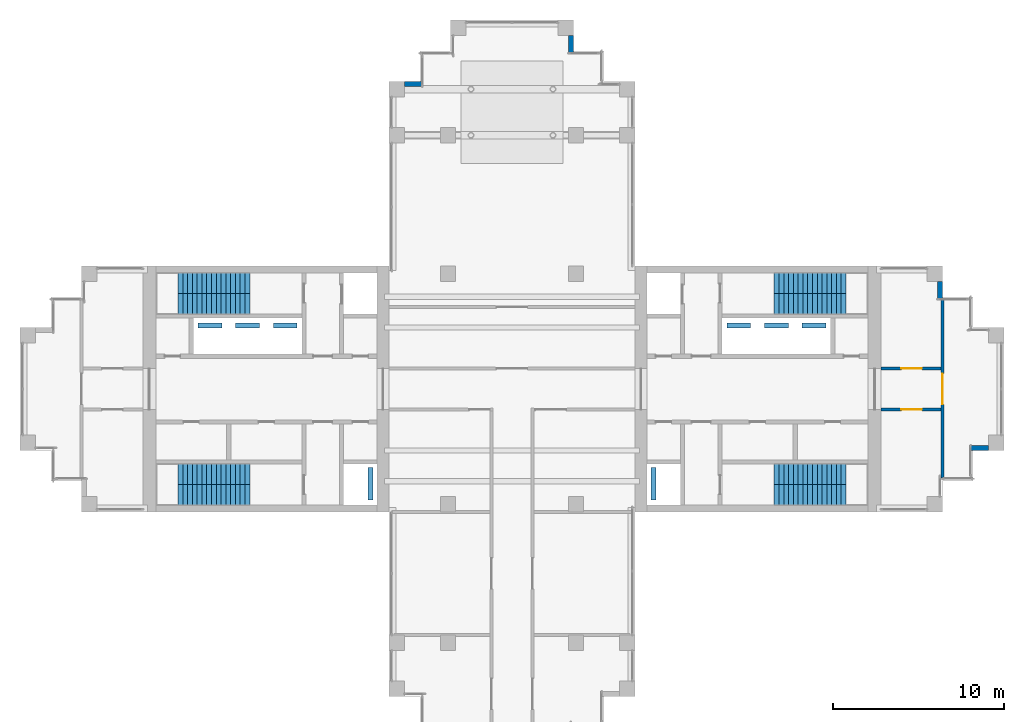
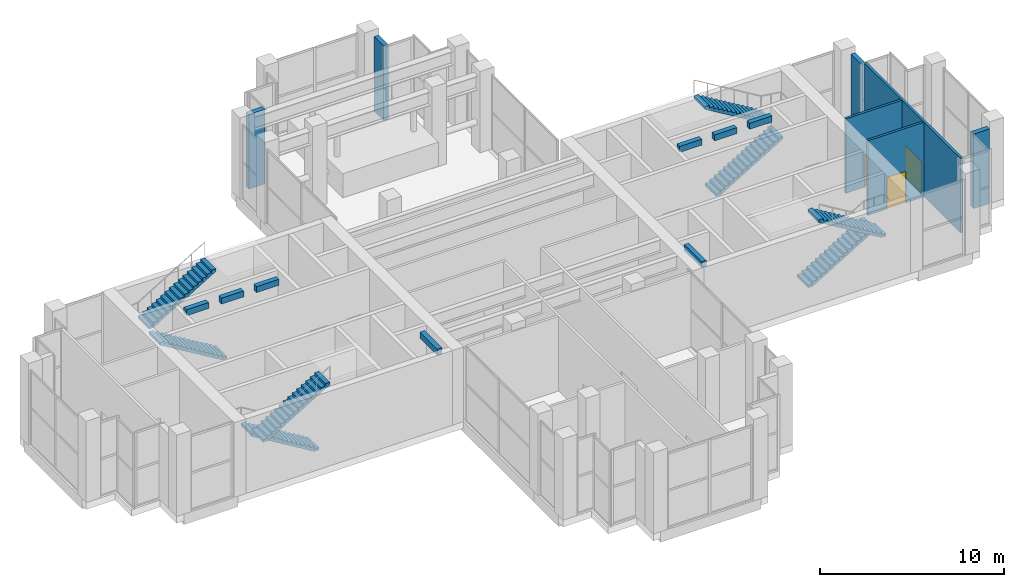
# One storey, part 12 of 13: 8 discrete accessories, 8 stair flights, 7 walls, 3 doors, 3 openings, 4 elements without a shape of their own.
"""IFC4 building model written with IfcOpenShell, lengths in metres."""

from ifc_helpers import new_model, si_unit, direction, frame, frame_2d, origin, origin_2d, place, context, subcontext, project, spatial, polyline, rectangle, outline, extrude, material, layer, layer_set, type_object, element, fill, aggregate, save


model = new_model("IFC4")

# Units and contexts
model_context = context("Model", 3, precision=1e-05, world=origin(), true_north=direction((0.0, 1.0)))
body_context = subcontext(model_context, "Body", "Model", "MODEL_VIEW")
ifc_project = project(units=[si_unit("LENGTHUNIT", "METRE"), si_unit("AREAUNIT", "SQUARE_METRE"), si_unit("VOLUMEUNIT", "CUBIC_METRE"), si_unit("PLANEANGLEUNIT", "RADIAN"), si_unit("MASSUNIT", "GRAM", prefix="KILO")], contexts=[model_context])

# Site, building, storey
site_placement = place(None, origin())
site = spatial("IfcSite", under=ifc_project, at=site_placement, CompositionType="ELEMENT")
building_placement = place(site_placement, origin())
building = spatial("IfcBuilding", under=site, at=building_placement, Name="Fustian Cross Tower", CompositionType="ELEMENT")
storey_placement = place(building_placement, frame((0.0, 0.0, 242.10009765625)))
storey = spatial("IfcBuildingStorey", under=building, at=storey_placement, Name="L76", CompositionType="ELEMENT", Elevation=242.10009765625)

# Wall, opening, door
ifc_material_1 = material(Name="Plasterboard on steel stud", Category="steel")
ifc_layer_1 = layer(ifc_material_1, 0.14990234375)
ifc_layer_set_1 = layer_set([ifc_layer_1], Name="Plasterboard on steel stud")
wall_type_1 = type_object("IfcWallType", Name="COMPARTMENT WALL 150 EI 60", PredefinedType="PARTITIONING", material=ifc_layer_set_1)
wall_1_placement = place(storey_placement, frame((21.60009765625, -1.199951171875, 0.0), z_axis=(0.0, 0.0, 1.0), x_axis=(1.0, 0.0, 0.0)))
wall_1 = element("IfcWall", 1, at=wall_1_placement, inside=storey, type_object=wall_type_1, Name="Partition 14", PredefinedType="PARTITIONING", context=body_context, shape_type="SweptSolid", body=[
    extrude(rectangle(XDim=3.52490234375, YDim=0.14990234375, at=frame_2d((1.762451171875, 0.0))), origin(), (0.0, 0.0, 1.0), 4.949951171875),
])
opening_1_placement = place(wall_1_placement, frame((1.199951171875, 0.0, 0.0)))
opening_1 = element("IfcOpeningElement", 2, at=opening_1_placement, cuts=wall_1, Name="Opening D35011", PredefinedType="OPENING", context=body_context, shape_type="SweptSolid", body=[
    extrude(rectangle(XDim=1.199951171875, YDim=2.10009765625, at=frame_2d((0.60009765625, 1.050048828125))), frame((0.0, 0.0849609375, 0.0), z_axis=(0.0, -1.0, 0.0), x_axis=(1.0, 0.0, 0.0)), (0.0, 0.0, 1.0), 0.169921875),
])
ifc_material_2 = material(Name="Timber fire door set", Category="wood")
door_type_1 = type_object("IfcDoorType", Name="FIRE SWING DOOR 1200 FD60S", OperationType="SINGLE_SWING_LEFT", PredefinedType="DOOR", material=ifc_material_2)
door_1_placement = place(opening_1_placement, frame((1.199951171875, 0.0, 0.0), z_axis=(0.0, 0.0, 1.0), x_axis=(-1.0, 0.0, 0.0)))
door_1 = element("IfcDoor", 3, at=door_1_placement, inside=storey, type_object=door_type_1, Name="Door D35011", OperationType="SINGLE_SWING_RIGHT", OverallHeight=2.10009765625, OverallWidth=1.199951171875, PredefinedType="DOOR", context=body_context, shape_type="SweptSolid", body=[
    extrude(rectangle(XDim=1.199951171875, YDim=2.10009765625, at=frame_2d((0.60009765625, 1.050048828125))), frame((0.0, 0.02490234375, 0.0), z_axis=(0.0, -1.0, 0.0), x_axis=(1.0, 0.0, 0.0)), (0.0, 0.0, 1.0), 0.050048828125),
])
fill(opening_1, door_1)

wall_2_placement = place(storey_placement, frame((21.60009765625, 1.199951171875, 0.0), z_axis=(0.0, 0.0, 1.0), x_axis=(1.0, 0.0, 0.0)))
wall_2 = element("IfcWall", 4, at=wall_2_placement, inside=storey, type_object=wall_type_1, Name="Partition 15", PredefinedType="PARTITIONING", context=body_context, shape_type="SweptSolid", body=[
    extrude(rectangle(XDim=3.52490234375, YDim=0.14990234375, at=frame_2d((1.762451171875, 0.0))), origin(), (0.0, 0.0, 1.0), 4.949951171875),
])
opening_2_placement = place(wall_2_placement, frame((1.199951171875, 0.0, 0.0)))
opening_2 = element("IfcOpeningElement", 5, at=opening_2_placement, cuts=wall_2, Name="Opening D35010", PredefinedType="OPENING", context=body_context, shape_type="SweptSolid", body=[
    extrude(rectangle(XDim=1.199951171875, YDim=2.10009765625, at=frame_2d((0.60009765625, 1.050048828125))), frame((0.0, 0.0849609375, 0.0), z_axis=(0.0, -1.0, 0.0), x_axis=(1.0, 0.0, 0.0)), (0.0, 0.0, 1.0), 0.169921875),
])
door_2_placement = place(opening_2_placement, frame((1.199951171875, 0.0, 0.0), z_axis=(0.0, 0.0, 1.0), x_axis=(-1.0, 0.0, 0.0)))
door_2 = element("IfcDoor", 6, at=door_2_placement, inside=storey, type_object=door_type_1, Name="Door D35010", OperationType="SINGLE_SWING_RIGHT", OverallHeight=2.10009765625, OverallWidth=1.199951171875, PredefinedType="DOOR", context=body_context, shape_type="SweptSolid", body=[
    extrude(rectangle(XDim=1.199951171875, YDim=2.10009765625, at=frame_2d((0.60009765625, 1.050048828125))), frame((0.0, 0.02490234375, 0.0), z_axis=(0.0, -1.0, 0.0), x_axis=(1.0, 0.0, 0.0)), (0.0, 0.0, 1.0), 0.050048828125),
])
fill(opening_2, door_2)

wall_3_placement = place(storey_placement, frame((25.199951171875, -5.219970703125, 0.0), z_axis=(0.0, 0.0, 1.0), x_axis=(0.0, 1.0, 0.0)))
wall_3 = element("IfcWall", 7, at=wall_3_placement, inside=storey, type_object=wall_type_1, Name="Partition 16", PredefinedType="PARTITIONING", context=body_context, shape_type="SweptSolid", body=[
    extrude(rectangle(XDim=10.43994140625, YDim=0.14990234375, at=frame_2d((5.219970703125, 0.0))), origin(), (0.0, 0.0, 1.0), 4.949951171875),
])
opening_3_placement = place(wall_3_placement, frame((4.320068359375, 0.0, 0.0)))
opening_3 = element("IfcOpeningElement", 8, at=opening_3_placement, cuts=wall_3, Name="Opening D35009", PredefinedType="OPENING", context=body_context, shape_type="SweptSolid", body=[
    extrude(rectangle(XDim=1.800048828125, YDim=2.10009765625, at=frame_2d((0.89990234375, 1.050048828125))), frame((0.0, 0.0849609375, 0.0), z_axis=(0.0, -1.0, 0.0), x_axis=(1.0, 0.0, 0.0)), (0.0, 0.0, 1.0), 0.169921875),
])
ifc_material_3 = material(Name="Timber fire door set", Category="wood")
door_type_2 = type_object("IfcDoorType", Name="FIRE DOUBLE DOOR 1800 FD60S", OperationType="DOUBLE_DOOR_DOUBLE_SWING", PredefinedType="DOOR", material=ifc_material_3)
door_3_placement = place(opening_3_placement, origin())
door_3 = element("IfcDoor", 9, at=door_3_placement, inside=storey, type_object=door_type_2, Name="Door D35009", OperationType="DOUBLE_DOOR_DOUBLE_SWING", OverallHeight=2.10009765625, OverallWidth=1.800048828125, PredefinedType="DOOR", context=body_context, shape_type="SweptSolid", body=[
    extrude(rectangle(XDim=1.800048828125, YDim=2.10009765625, at=frame_2d((0.89990234375, 1.050048828125))), frame((0.0, 0.02490234375, 0.0), z_axis=(0.0, -1.0, 0.0), x_axis=(1.0, 0.0, 0.0)), (0.0, 0.0, 1.0), 0.050048828125),
])
fill(opening_3, door_3)

# Walls
ifc_material_4 = material(Name="Dark rainscreen cladding on blockwork", Category="masonry")
ifc_layer_2 = layer(ifc_material_4, 0.300048828125)
ifc_layer_set_2 = layer_set([ifc_layer_2], Name="Dark rainscreen cladding on blockwork")
wall_type_2 = type_object("IfcWallType", Name="EXTERNAL WALL 300 CLADDING", PredefinedType="SOLIDWALL", material=ifc_layer_set_2)
for number, where, z_axis, x_axis, name in (
    (10, (26.8798828125, -3.449951171875, 0.0), (0.0, 0.0, 1.0), (1.0, 0.0, 0.0), "Damper floor wall E050"),
    (11, (25.050048828125, 5.280029296875, 0.0), (0.0, 0.0, 1.0), (0.0, 1.0, 0.0), "Damper floor wall E100"),
    (12, (3.449951171875, 19.679931640625, 0.0), (0.0, 0.0, 1.0), (0.0, 1.0, 0.0), "Damper floor wall N170"),
    (13, (-5.280029296875, 17.85009765625, 0.0), (0.0, 0.0, 1.0), (-1.0, 0.0, 0.0), "Damper floor wall N220"),
):
    element("IfcWall", number, at=place(storey_placement, frame(where, z_axis=z_axis, x_axis=x_axis)), inside=storey, type_object=wall_type_2, Name=name, PredefinedType="SOLIDWALL", context=body_context, shape_type="SweptSolid", body=[
        extrude(rectangle(XDim=1.02001953125, YDim=0.300048828125, at=frame_2d((0.510009765625, 0.0))), origin(), (0.0, 0.0, 1.0), 4.949951171875),
    ])

# Stair, stair flights
ifc_material_5 = material(Name="Concrete C50/60", Category="concrete")
stair_type = type_object("IfcStairType", Name="STAIR 1200 HALF TURN", PredefinedType="HALF_TURN_STAIR", material=ifc_material_5)
stair_1_placement = place(storey_placement, origin())
stair_1 = element("IfcStair", 14, at=stair_1_placement, inside=storey, type_object=stair_type, Name="Stair ST1", PredefinedType="HALF_TURN_STAIR")
ifc_material_6 = material(Name="Concrete C50/60", Category="concrete")
stair_flight_type = type_object("IfcStairFlightType", Name="STAIR FLIGHT 1200", PredefinedType="STRAIGHT", material=ifc_material_6)
stair_flight_1_placement = place(storey_placement, frame((15.35009765625, 5.0, 0.0), z_axis=(0.0, 0.0, 1.0), x_axis=(1.0, 0.0, 0.0)))
stair_flight_1 = element("IfcStairFlight", 15, at=stair_flight_1_placement, type_object=stair_flight_type, Name="ST1 flight 1", NumberOfRisers=16, NumberOfTreads=15, PredefinedType="STRAIGHT", RiserHeight=0.16875, TreadLength=0.28, context=body_context, shape_type="SweptSolid", body=[
    extrude(outline(polyline([(0.0, 0.0), (0.0, 0.168701171875), (0.280029296875, 0.168701171875), (0.280029296875, 0.33740234375), (0.56005859375, 0.33740234375), (0.56005859375, 0.50634765625), (0.840087890625, 0.50634765625), (0.840087890625, 0.675048828125), (1.1201171875, 0.675048828125), (1.1201171875, 0.84375), (1.39990234375, 0.84375), (1.39990234375, 1.012451171875), (1.679931640625, 1.012451171875), (1.679931640625, 1.18115234375), (1.9599609375, 1.18115234375), (1.9599609375, 1.35009765625), (2.239990234375, 1.35009765625), (2.239990234375, 1.518798828125), (2.52001953125, 1.518798828125), (2.52001953125, 1.6875), (2.800048828125, 1.6875), (2.800048828125, 1.856201171875), (3.080078125, 1.856201171875), (3.080078125, 2.02490234375), (3.360107421875, 2.02490234375), (3.360107421875, 2.19384765625), (3.639892578125, 2.19384765625), (3.639892578125, 2.362548828125), (3.919921875, 2.362548828125), (3.919921875, 2.53125), (4.199951171875, 2.53125), (4.199951171875, 2.699951171875), (4.199951171875, 2.356201171875), (0.29052734375, 0.0), (0.0, 0.0)])), frame((0.0, 0.60009765625, 0.0), z_axis=(0.0, -1.0, 0.0), x_axis=(1.0, 0.0, 0.0)), (0.0, 0.0, 1.0), 1.199951171875),
])
stair_flight_2_placement = place(storey_placement, frame((19.550048828125, 6.199951171875, 2.699951171875), z_axis=(0.0, 0.0, 1.0), x_axis=(-1.0, 0.0, 0.0)))
stair_flight_2 = element("IfcStairFlight", 16, at=stair_flight_2_placement, type_object=stair_flight_type, Name="ST1 flight 2", NumberOfRisers=16, NumberOfTreads=15, PredefinedType="STRAIGHT", RiserHeight=0.16875, TreadLength=0.28, context=body_context, shape_type="SweptSolid", body=[
    extrude(outline(polyline([(0.0, 0.0), (0.0, 0.168701171875), (0.280029296875, 0.168701171875), (0.280029296875, 0.33740234375), (0.56005859375, 0.33740234375), (0.56005859375, 0.50634765625), (0.840087890625, 0.50634765625), (0.840087890625, 0.675048828125), (1.1201171875, 0.675048828125), (1.1201171875, 0.84375), (1.39990234375, 0.84375), (1.39990234375, 1.012451171875), (1.679931640625, 1.012451171875), (1.679931640625, 1.18115234375), (1.9599609375, 1.18115234375), (1.9599609375, 1.35009765625), (2.239990234375, 1.35009765625), (2.239990234375, 1.518798828125), (2.52001953125, 1.518798828125), (2.52001953125, 1.6875), (2.800048828125, 1.6875), (2.800048828125, 1.856201171875), (3.080078125, 1.856201171875), (3.080078125, 2.02490234375), (3.360107421875, 2.02490234375), (3.360107421875, 2.19384765625), (3.639892578125, 2.19384765625), (3.639892578125, 2.362548828125), (3.919921875, 2.362548828125), (3.919921875, 2.53125), (4.199951171875, 2.53125), (4.199951171875, 2.699951171875), (4.199951171875, 2.356201171875), (0.29052734375, 0.0), (0.0, 0.0)])), frame((0.0, 0.60009765625, 0.0), z_axis=(0.0, -1.0, 0.0), x_axis=(1.0, 0.0, 0.0)), (0.0, 0.0, 1.0), 1.199951171875),
])
aggregate(stair_1, [stair_flight_1, stair_flight_2])

stair_2_placement = place(storey_placement, origin())
stair_2 = element("IfcStair", 17, at=stair_2_placement, inside=storey, type_object=stair_type, Name="Stair ST2", PredefinedType="HALF_TURN_STAIR")
stair_flight_3_placement = place(storey_placement, frame((15.35009765625, -5.0, 0.0), z_axis=(0.0, 0.0, 1.0), x_axis=(1.0, 0.0, 0.0)))
stair_flight_3 = element("IfcStairFlight", 18, at=stair_flight_3_placement, type_object=stair_flight_type, Name="ST2 flight 1", NumberOfRisers=16, NumberOfTreads=15, PredefinedType="STRAIGHT", RiserHeight=0.16875, TreadLength=0.28, context=body_context, shape_type="SweptSolid", body=[
    extrude(outline(polyline([(0.0, 0.0), (0.0, 0.168701171875), (0.280029296875, 0.168701171875), (0.280029296875, 0.33740234375), (0.56005859375, 0.33740234375), (0.56005859375, 0.50634765625), (0.840087890625, 0.50634765625), (0.840087890625, 0.675048828125), (1.1201171875, 0.675048828125), (1.1201171875, 0.84375), (1.39990234375, 0.84375), (1.39990234375, 1.012451171875), (1.679931640625, 1.012451171875), (1.679931640625, 1.18115234375), (1.9599609375, 1.18115234375), (1.9599609375, 1.35009765625), (2.239990234375, 1.35009765625), (2.239990234375, 1.518798828125), (2.52001953125, 1.518798828125), (2.52001953125, 1.6875), (2.800048828125, 1.6875), (2.800048828125, 1.856201171875), (3.080078125, 1.856201171875), (3.080078125, 2.02490234375), (3.360107421875, 2.02490234375), (3.360107421875, 2.19384765625), (3.639892578125, 2.19384765625), (3.639892578125, 2.362548828125), (3.919921875, 2.362548828125), (3.919921875, 2.53125), (4.199951171875, 2.53125), (4.199951171875, 2.699951171875), (4.199951171875, 2.356201171875), (0.29052734375, 0.0), (0.0, 0.0)])), frame((0.0, 0.60009765625, 0.0), z_axis=(0.0, -1.0, 0.0), x_axis=(1.0, 0.0, 0.0)), (0.0, 0.0, 1.0), 1.199951171875),
])
stair_flight_4_placement = place(storey_placement, frame((19.550048828125, -6.199951171875, 2.699951171875), z_axis=(0.0, 0.0, 1.0), x_axis=(-1.0, 0.0, 0.0)))
stair_flight_4 = element("IfcStairFlight", 19, at=stair_flight_4_placement, type_object=stair_flight_type, Name="ST2 flight 2", NumberOfRisers=16, NumberOfTreads=15, PredefinedType="STRAIGHT", RiserHeight=0.16875, TreadLength=0.28, context=body_context, shape_type="SweptSolid", body=[
    extrude(outline(polyline([(0.0, 0.0), (0.0, 0.168701171875), (0.280029296875, 0.168701171875), (0.280029296875, 0.33740234375), (0.56005859375, 0.33740234375), (0.56005859375, 0.50634765625), (0.840087890625, 0.50634765625), (0.840087890625, 0.675048828125), (1.1201171875, 0.675048828125), (1.1201171875, 0.84375), (1.39990234375, 0.84375), (1.39990234375, 1.012451171875), (1.679931640625, 1.012451171875), (1.679931640625, 1.18115234375), (1.9599609375, 1.18115234375), (1.9599609375, 1.35009765625), (2.239990234375, 1.35009765625), (2.239990234375, 1.518798828125), (2.52001953125, 1.518798828125), (2.52001953125, 1.6875), (2.800048828125, 1.6875), (2.800048828125, 1.856201171875), (3.080078125, 1.856201171875), (3.080078125, 2.02490234375), (3.360107421875, 2.02490234375), (3.360107421875, 2.19384765625), (3.639892578125, 2.19384765625), (3.639892578125, 2.362548828125), (3.919921875, 2.362548828125), (3.919921875, 2.53125), (4.199951171875, 2.53125), (4.199951171875, 2.699951171875), (4.199951171875, 2.356201171875), (0.29052734375, 0.0), (0.0, 0.0)])), frame((0.0, 0.60009765625, 0.0), z_axis=(0.0, -1.0, 0.0), x_axis=(1.0, 0.0, 0.0)), (0.0, 0.0, 1.0), 1.199951171875),
])
aggregate(stair_2, [stair_flight_3, stair_flight_4])

stair_3_placement = place(storey_placement, origin())
stair_3 = element("IfcStair", 20, at=stair_3_placement, inside=storey, type_object=stair_type, Name="Stair ST3", PredefinedType="HALF_TURN_STAIR")
stair_flight_5_placement = place(storey_placement, frame((-15.35009765625, 5.0, 0.0), z_axis=(0.0, 0.0, 1.0), x_axis=(-1.0, 0.0, 0.0)))
stair_flight_5 = element("IfcStairFlight", 21, at=stair_flight_5_placement, type_object=stair_flight_type, Name="ST3 flight 1", NumberOfRisers=16, NumberOfTreads=15, PredefinedType="STRAIGHT", RiserHeight=0.16875, TreadLength=0.28, context=body_context, shape_type="SweptSolid", body=[
    extrude(outline(polyline([(0.0, 0.0), (0.0, 0.168701171875), (0.280029296875, 0.168701171875), (0.280029296875, 0.33740234375), (0.56005859375, 0.33740234375), (0.56005859375, 0.50634765625), (0.840087890625, 0.50634765625), (0.840087890625, 0.675048828125), (1.1201171875, 0.675048828125), (1.1201171875, 0.84375), (1.39990234375, 0.84375), (1.39990234375, 1.012451171875), (1.679931640625, 1.012451171875), (1.679931640625, 1.18115234375), (1.9599609375, 1.18115234375), (1.9599609375, 1.35009765625), (2.239990234375, 1.35009765625), (2.239990234375, 1.518798828125), (2.52001953125, 1.518798828125), (2.52001953125, 1.6875), (2.800048828125, 1.6875), (2.800048828125, 1.856201171875), (3.080078125, 1.856201171875), (3.080078125, 2.02490234375), (3.360107421875, 2.02490234375), (3.360107421875, 2.19384765625), (3.639892578125, 2.19384765625), (3.639892578125, 2.362548828125), (3.919921875, 2.362548828125), (3.919921875, 2.53125), (4.199951171875, 2.53125), (4.199951171875, 2.699951171875), (4.199951171875, 2.356201171875), (0.29052734375, 0.0), (0.0, 0.0)])), frame((0.0, 0.60009765625, 0.0), z_axis=(0.0, -1.0, 0.0), x_axis=(1.0, 0.0, 0.0)), (0.0, 0.0, 1.0), 1.199951171875),
])
stair_flight_6_placement = place(storey_placement, frame((-19.550048828125, 6.199951171875, 2.699951171875), z_axis=(0.0, 0.0, 1.0), x_axis=(1.0, 0.0, 0.0)))
stair_flight_6 = element("IfcStairFlight", 22, at=stair_flight_6_placement, type_object=stair_flight_type, Name="ST3 flight 2", NumberOfRisers=16, NumberOfTreads=15, PredefinedType="STRAIGHT", RiserHeight=0.16875, TreadLength=0.28, context=body_context, shape_type="SweptSolid", body=[
    extrude(outline(polyline([(0.0, 0.0), (0.0, 0.168701171875), (0.280029296875, 0.168701171875), (0.280029296875, 0.33740234375), (0.56005859375, 0.33740234375), (0.56005859375, 0.50634765625), (0.840087890625, 0.50634765625), (0.840087890625, 0.675048828125), (1.1201171875, 0.675048828125), (1.1201171875, 0.84375), (1.39990234375, 0.84375), (1.39990234375, 1.012451171875), (1.679931640625, 1.012451171875), (1.679931640625, 1.18115234375), (1.9599609375, 1.18115234375), (1.9599609375, 1.35009765625), (2.239990234375, 1.35009765625), (2.239990234375, 1.518798828125), (2.52001953125, 1.518798828125), (2.52001953125, 1.6875), (2.800048828125, 1.6875), (2.800048828125, 1.856201171875), (3.080078125, 1.856201171875), (3.080078125, 2.02490234375), (3.360107421875, 2.02490234375), (3.360107421875, 2.19384765625), (3.639892578125, 2.19384765625), (3.639892578125, 2.362548828125), (3.919921875, 2.362548828125), (3.919921875, 2.53125), (4.199951171875, 2.53125), (4.199951171875, 2.699951171875), (4.199951171875, 2.356201171875), (0.29052734375, 0.0), (0.0, 0.0)])), frame((0.0, 0.60009765625, 0.0), z_axis=(0.0, -1.0, 0.0), x_axis=(1.0, 0.0, 0.0)), (0.0, 0.0, 1.0), 1.199951171875),
])
aggregate(stair_3, [stair_flight_5, stair_flight_6])

stair_4_placement = place(storey_placement, origin())
stair_4 = element("IfcStair", 23, at=stair_4_placement, inside=storey, type_object=stair_type, Name="Stair ST4", PredefinedType="HALF_TURN_STAIR")
stair_flight_7_placement = place(storey_placement, frame((-15.35009765625, -5.0, 0.0), z_axis=(0.0, 0.0, 1.0), x_axis=(-1.0, 0.0, 0.0)))
stair_flight_7 = element("IfcStairFlight", 24, at=stair_flight_7_placement, type_object=stair_flight_type, Name="ST4 flight 1", NumberOfRisers=16, NumberOfTreads=15, PredefinedType="STRAIGHT", RiserHeight=0.16875, TreadLength=0.28, context=body_context, shape_type="SweptSolid", body=[
    extrude(outline(polyline([(0.0, 0.0), (0.0, 0.168701171875), (0.280029296875, 0.168701171875), (0.280029296875, 0.33740234375), (0.56005859375, 0.33740234375), (0.56005859375, 0.50634765625), (0.840087890625, 0.50634765625), (0.840087890625, 0.675048828125), (1.1201171875, 0.675048828125), (1.1201171875, 0.84375), (1.39990234375, 0.84375), (1.39990234375, 1.012451171875), (1.679931640625, 1.012451171875), (1.679931640625, 1.18115234375), (1.9599609375, 1.18115234375), (1.9599609375, 1.35009765625), (2.239990234375, 1.35009765625), (2.239990234375, 1.518798828125), (2.52001953125, 1.518798828125), (2.52001953125, 1.6875), (2.800048828125, 1.6875), (2.800048828125, 1.856201171875), (3.080078125, 1.856201171875), (3.080078125, 2.02490234375), (3.360107421875, 2.02490234375), (3.360107421875, 2.19384765625), (3.639892578125, 2.19384765625), (3.639892578125, 2.362548828125), (3.919921875, 2.362548828125), (3.919921875, 2.53125), (4.199951171875, 2.53125), (4.199951171875, 2.699951171875), (4.199951171875, 2.356201171875), (0.29052734375, 0.0), (0.0, 0.0)])), frame((0.0, 0.60009765625, 0.0), z_axis=(0.0, -1.0, 0.0), x_axis=(1.0, 0.0, 0.0)), (0.0, 0.0, 1.0), 1.199951171875),
])
stair_flight_8_placement = place(storey_placement, frame((-19.550048828125, -6.199951171875, 2.699951171875), z_axis=(0.0, 0.0, 1.0), x_axis=(1.0, 0.0, 0.0)))
stair_flight_8 = element("IfcStairFlight", 25, at=stair_flight_8_placement, type_object=stair_flight_type, Name="ST4 flight 2", NumberOfRisers=16, NumberOfTreads=15, PredefinedType="STRAIGHT", RiserHeight=0.16875, TreadLength=0.28, context=body_context, shape_type="SweptSolid", body=[
    extrude(outline(polyline([(0.0, 0.0), (0.0, 0.168701171875), (0.280029296875, 0.168701171875), (0.280029296875, 0.33740234375), (0.56005859375, 0.33740234375), (0.56005859375, 0.50634765625), (0.840087890625, 0.50634765625), (0.840087890625, 0.675048828125), (1.1201171875, 0.675048828125), (1.1201171875, 0.84375), (1.39990234375, 0.84375), (1.39990234375, 1.012451171875), (1.679931640625, 1.012451171875), (1.679931640625, 1.18115234375), (1.9599609375, 1.18115234375), (1.9599609375, 1.35009765625), (2.239990234375, 1.35009765625), (2.239990234375, 1.518798828125), (2.52001953125, 1.518798828125), (2.52001953125, 1.6875), (2.800048828125, 1.6875), (2.800048828125, 1.856201171875), (3.080078125, 1.856201171875), (3.080078125, 2.02490234375), (3.360107421875, 2.02490234375), (3.360107421875, 2.19384765625), (3.639892578125, 2.19384765625), (3.639892578125, 2.362548828125), (3.919921875, 2.362548828125), (3.919921875, 2.53125), (4.199951171875, 2.53125), (4.199951171875, 2.699951171875), (4.199951171875, 2.356201171875), (0.29052734375, 0.0), (0.0, 0.0)])), frame((0.0, 0.60009765625, 0.0), z_axis=(0.0, -1.0, 0.0), x_axis=(1.0, 0.0, 0.0)), (0.0, 0.0, 1.0), 1.199951171875),
])
aggregate(stair_4, [stair_flight_7, stair_flight_8])

# Discrete accessories
ifc_material_7 = material(Name="Steel S355", Category="steel")
for number, where, z_axis, x_axis, name in (
    (26, (13.27490234375, 3.7099609375, 4.39990234375), (0.0, 0.0, 1.0), (1.0, 0.0, 0.0), "Lift machine HR1"),
    (27, (15.47509765625, 3.7099609375, 4.39990234375), (0.0, 0.0, 1.0), (1.0, 0.0, 0.0), "Lift machine HR2"),
    (28, (17.675048828125, 3.7099609375, 4.39990234375), (0.0, 0.0, 1.0), (1.0, 0.0, 0.0), "Lift machine HR3"),
):
    element("IfcDiscreteAccessory", number, at=place(storey_placement, frame(where, z_axis=z_axis, x_axis=x_axis)), inside=storey, material=ifc_material_7, Name=name, PredefinedType="NOTDEFINED", context=body_context, shape_type="SweptSolid", body=[
        extrude(rectangle(XDim=1.39990234375, YDim=0.300048828125, at=origin_2d()), origin(), (0.0, 0.0, 1.0), 0.39990234375),
    ])
discrete_accessory_1_placement = place(storey_placement, frame((8.2900390625, -5.550048828125, 4.39990234375), z_axis=(0.0, 0.0, 1.0), x_axis=(1.0, 0.0, 0.0)))
element("IfcDiscreteAccessory", 29, at=discrete_accessory_1_placement, inside=storey, material=ifc_material_7, Name="Lift machine SV1", PredefinedType="NOTDEFINED", context=body_context, shape_type="SweptSolid", body=[
    extrude(rectangle(XDim=0.300048828125, YDim=1.89990234375, at=origin_2d()), origin(), (0.0, 0.0, 1.0), 0.39990234375),
])
for number, where, z_axis, x_axis, name in (
    (30, (-13.27490234375, 3.7099609375, 4.39990234375), (0.0, 0.0, 1.0), (1.0, 0.0, 0.0), "Lift machine HR1W"),
    (31, (-15.47509765625, 3.7099609375, 4.39990234375), (0.0, 0.0, 1.0), (1.0, 0.0, 0.0), "Lift machine HR2W"),
    (32, (-17.675048828125, 3.7099609375, 4.39990234375), (0.0, 0.0, 1.0), (1.0, 0.0, 0.0), "Lift machine HR3W"),
):
    element("IfcDiscreteAccessory", number, at=place(storey_placement, frame(where, z_axis=z_axis, x_axis=x_axis)), inside=storey, material=ifc_material_7, Name=name, PredefinedType="NOTDEFINED", context=body_context, shape_type="SweptSolid", body=[
        extrude(rectangle(XDim=1.39990234375, YDim=0.300048828125, at=origin_2d()), origin(), (0.0, 0.0, 1.0), 0.39990234375),
    ])
discrete_accessory_2_placement = place(storey_placement, frame((-8.2900390625, -5.550048828125, 4.39990234375), z_axis=(0.0, 0.0, 1.0), x_axis=(1.0, 0.0, 0.0)))
element("IfcDiscreteAccessory", 33, at=discrete_accessory_2_placement, inside=storey, material=ifc_material_7, Name="Lift machine SV1W", PredefinedType="NOTDEFINED", context=body_context, shape_type="SweptSolid", body=[
    extrude(rectangle(XDim=0.300048828125, YDim=1.89990234375, at=origin_2d()), origin(), (0.0, 0.0, 1.0), 0.39990234375),
])

save(model, "model.ifc")
